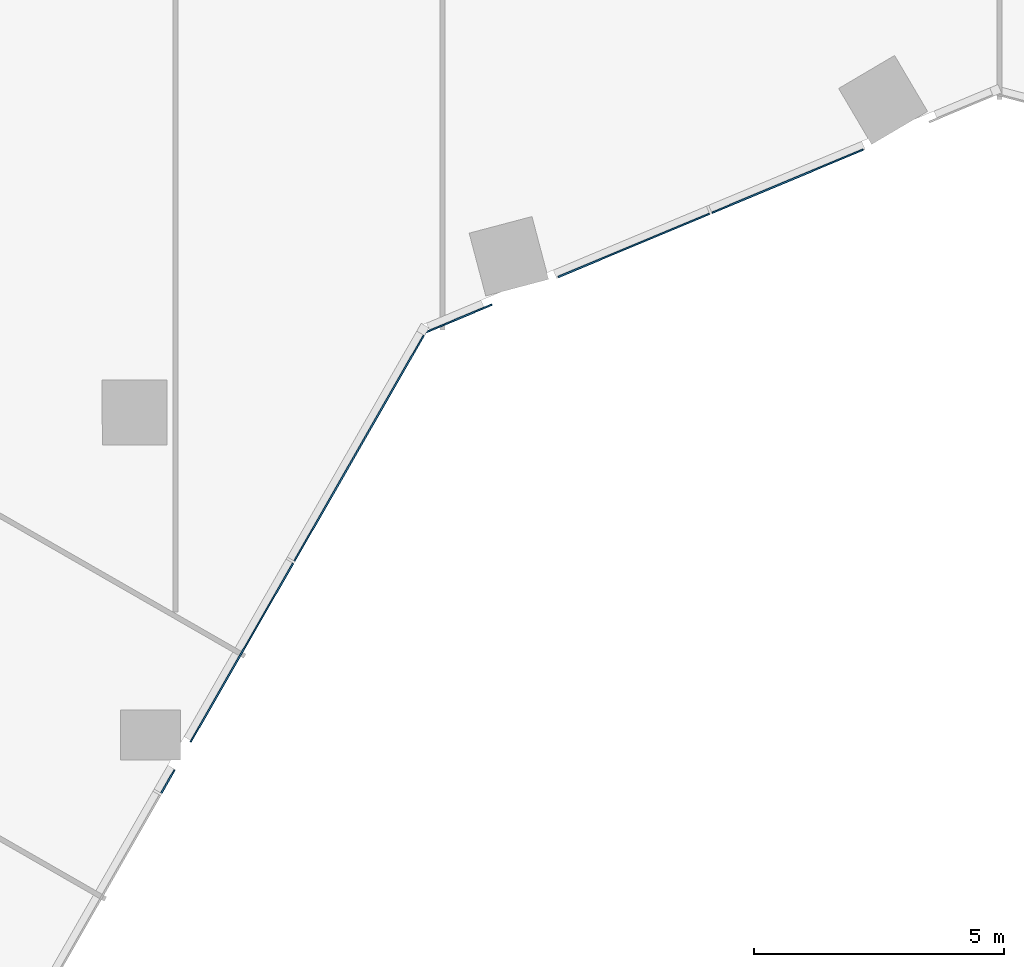
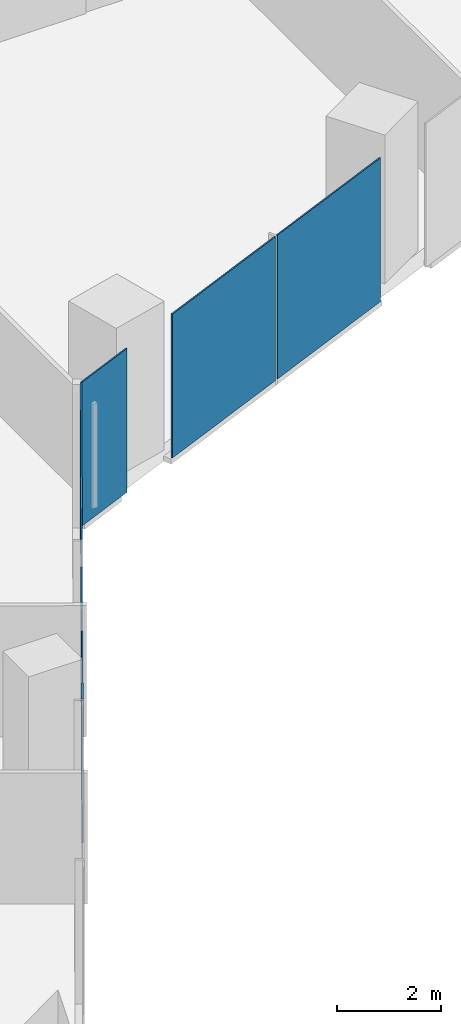
# One storey, part 19 of 35: 6 plates, 2 elements without a shape of their own.
"""IFC4 building model written with IfcOpenShell, lengths in metres."""

from ifc_helpers import new_model, si_unit, direction, frame, origin, origin_2d, place, context, subcontext, project, spatial, rectangle, extrude, material, layer, layer_set, type_object, element, aggregate, save


model = new_model("IFC4")

# Units and contexts
model_context = context("Model", 3, precision=1e-05, world=origin(), true_north=direction((0.0, 1.0)))
body_context = subcontext(model_context, "Body", "Model", "MODEL_VIEW")
ifc_project = project(units=[si_unit("LENGTHUNIT", "METRE"), si_unit("AREAUNIT", "SQUARE_METRE"), si_unit("VOLUMEUNIT", "CUBIC_METRE"), si_unit("PLANEANGLEUNIT", "RADIAN"), si_unit("MASSUNIT", "GRAM", prefix="KILO")], contexts=[model_context])

# Site, building, storey
site_placement = place(None, origin())
site = spatial("IfcSite", under=ifc_project, at=site_placement, CompositionType="ELEMENT")
building_placement = place(site_placement, origin())
building = spatial("IfcBuilding", under=site, at=building_placement, Name="Orlundy Tower", CompositionType="ELEMENT")
storey_placement = place(building_placement, frame((0.0, 0.0, 116.199951171875)))
storey = spatial("IfcBuildingStorey", under=building, at=storey_placement, Name="L29", CompositionType="ELEMENT", Elevation=116.199951171875)

# Curtain wall, plates
ifc_material_1 = material(Name="Aluminium bronze anodised", Category="aluminium")
curtain_wall_type = type_object("IfcCurtainWallType", Name="CW1 wall", PredefinedType="NOTDEFINED", material=ifc_material_1)
curtain_wall_1_placement = place(storey_placement, origin())
curtain_wall_1 = element("IfcCurtainWall", 1, at=curtain_wall_1_placement, inside=storey, type_object=curtain_wall_type, Name="CW1 run 01", PredefinedType="NOTDEFINED")
ifc_material_2 = material(Name="Tinted glass", Category="glass")
ifc_layer = layer(ifc_material_2, 0.031982421875)
ifc_layer_set = layer_set([ifc_layer], Name="CW1 glass panel 32")
plate_type = type_object("IfcPlateType", Name="CW1 glass panel 32", PredefinedType="CURTAIN_PANEL", material=ifc_layer_set)
plate_1_placement = place(storey_placement, frame((13.16162109375, -27.1923828125, -0.27978515625), z_axis=(0.0, 0.0, 1.0), x_axis=(-0.922759105019, -0.385377262048, 0.0)))
plate_1 = element("IfcPlate", 2, at=plate_1_placement, type_object=plate_type, Name="CW1 panel", PredefinedType="CURTAIN_PANEL", context=body_context, shape_type="SweptSolid", body=[
    extrude(rectangle(XDim=3.2822265625, YDim=0.031982421875, at=origin_2d()), origin(), (0.0, 0.0, 1.0), 3.3798828125),
])
plate_2_placement = place(storey_placement, frame((10.0869140625, -28.476318359375, -0.27978515625), z_axis=(0.0, 0.0, 1.0), x_axis=(-0.922759105019, -0.385377262048, 0.0)))
plate_2 = element("IfcPlate", 3, at=plate_2_placement, type_object=plate_type, Name="CW1 panel", PredefinedType="CURTAIN_PANEL", context=body_context, shape_type="SweptSolid", body=[
    extrude(rectangle(XDim=3.28173828125, YDim=0.031982421875, at=origin_2d()), origin(), (0.0, 0.0, 1.0), 3.3798828125),
])
plate_3_placement = place(storey_placement, frame((6.581298828125, -29.9404296875, -0.27978515625), z_axis=(0.0, 0.0, 1.0), x_axis=(-0.922759105019, -0.385377262048, 0.0)))
plate_3 = element("IfcPlate", 4, at=plate_3_placement, type_object=plate_type, Name="CW1 panel", PredefinedType="CURTAIN_PANEL", context=body_context, shape_type="SweptSolid", body=[
    extrude(rectangle(XDim=1.445068359375, YDim=0.031982421875, at=origin_2d()), origin(), (0.0, 0.0, 1.0), 3.3798828125),
])
aggregate(curtain_wall_1, [plate_1, plate_2, plate_3])

curtain_wall_2_placement = place(storey_placement, origin())
curtain_wall_2 = element("IfcCurtainWall", 5, at=curtain_wall_2_placement, inside=storey, type_object=curtain_wall_type, Name="CW1 run 02", PredefinedType="NOTDEFINED")
plate_4_placement = place(storey_placement, frame((4.602294921875, -32.50732421875, -0.27978515625), z_axis=(0.0, 0.0, 1.0), x_axis=(-0.497473280125, -0.867479299789, 0.0)))
plate_4 = element("IfcPlate", 6, at=plate_4_placement, type_object=plate_type, Name="CW1 panel", PredefinedType="CURTAIN_PANEL", context=body_context, shape_type="SweptSolid", body=[
    extrude(rectangle(XDim=5.27587890625, YDim=0.031982421875, at=origin_2d()), origin(), (0.0, 0.0, 1.0), 3.3798828125),
])
plate_5_placement = place(storey_placement, frame((2.238525390625, -36.629150390625, -0.27978515625), z_axis=(0.0, 0.0, 1.0), x_axis=(-0.497473280125, -0.867479299789, 0.0)))
plate_5 = element("IfcPlate", 7, at=plate_5_placement, type_object=plate_type, Name="CW1 panel", PredefinedType="CURTAIN_PANEL", context=body_context, shape_type="SweptSolid", body=[
    extrude(rectangle(XDim=4.126953125, YDim=0.031982421875, at=origin_2d()), origin(), (0.0, 0.0, 1.0), 2.763916015625),
])
plate_6_placement = place(storey_placement, frame((0.75830078125, -39.210205078125, -0.27978515625), z_axis=(0.0, 0.0, 1.0), x_axis=(-0.497473280125, -0.867479299789, 0.0)))
plate_6 = element("IfcPlate", 8, at=plate_6_placement, type_object=plate_type, Name="CW1 panel", PredefinedType="CURTAIN_PANEL", context=body_context, shape_type="SweptSolid", body=[
    extrude(rectangle(XDim=0.535400390625, YDim=0.031982421875, at=origin_2d()), origin(), (0.0, 0.0, 1.0), 3.3798828125),
])
aggregate(curtain_wall_2, [plate_4, plate_5, plate_6])

save(model, "model.ifc")
